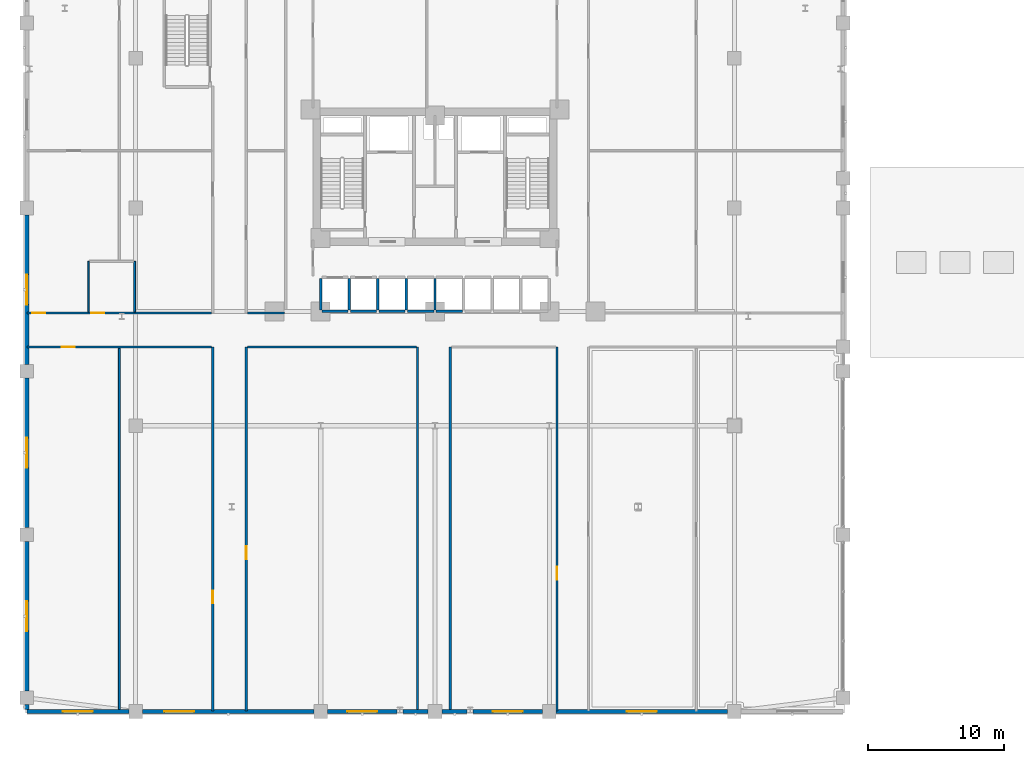
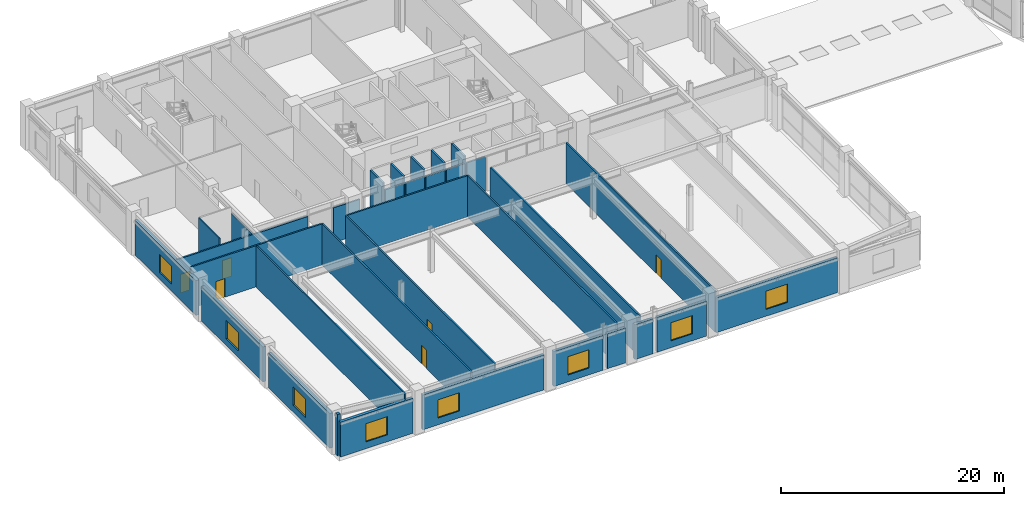
# One storey, part 17 of 34: 33 walls, 8 windows, 6 doors, 14 openings.
"""IFC4 building model written with IfcOpenShell, lengths in metres."""

from ifc_helpers import new_model, si_unit, derived_unit, direction, frame, frame_2d, origin, place, context, subcontext, project, spatial, rectangle, extrude, material, layer, layer_set, type_object, element, fill, save


model = new_model("IFC4")

# Units and contexts
model_context = context("Model", 3, precision=1e-05, world=origin(), true_north=direction((0.0, 1.0)))
body_context = subcontext(model_context, "Body", "Model", "MODEL_VIEW")
ifc_project = project(units=[si_unit("LENGTHUNIT", "METRE"), si_unit("AREAUNIT", "SQUARE_METRE"), si_unit("VOLUMEUNIT", "CUBIC_METRE"), si_unit("PLANEANGLEUNIT", "RADIAN"), si_unit("MASSUNIT", "GRAM", prefix="KILO"), derived_unit("THERMALTRANSMITTANCEUNIT", [(si_unit("POWERUNIT", "WATT"), 1), (si_unit("LENGTHUNIT", "METRE"), -2), (si_unit("THERMODYNAMICTEMPERATUREUNIT", "KELVIN"), -1)])], contexts=[model_context])

# Site, building, storey
site_placement = place(None, origin())
site = spatial("IfcSite", under=ifc_project, at=site_placement, CompositionType="ELEMENT")
building_placement = place(site_placement, origin())
building = spatial("IfcBuilding", under=site, at=building_placement, Name="Korsvarv Bourse and Concert Hall", CompositionType="ELEMENT")
storey_placement = place(building_placement, frame((0.0, 0.0, 14.39990234375)))
storey = spatial("IfcBuildingStorey", under=building, at=storey_placement, Name="L03", CompositionType="ELEMENT", Elevation=14.39990234375)

# Wall, opening, window
ifc_material_1 = material(Name="Precast concrete C45/55 with granite and terracotta", Category="concrete")
ifc_layer_1 = layer(ifc_material_1, 0.320068359375)
ifc_layer_set_1 = layer_set([ifc_layer_1], Name="Precast concrete C45/55 with granite and terracotta")
wall_type_1 = type_object("IfcWallType", Name="WL-EXT-POD", PredefinedType="SOLIDWALL", material=ifc_layer_set_1)
wall_1_placement = place(storey_placement, frame((6.0, 3.0, 0.0), z_axis=(0.0, 0.0, 1.0), x_axis=(1.0, 0.0, 0.0)))
wall_1 = element("IfcWall", 1, at=wall_1_placement, inside=storey, type_object=wall_type_1, Name="L03 terracotta exterior wall EW-L03-S1", PredefinedType="SOLIDWALL", context=body_context, shape_type="SweptSolid", body=[
    extrude(rectangle(XDim=7.4951171875, YDim=0.320068359375, at=frame_2d((3.74755859375, 0.0))), origin(), (0.0, 0.0, 1.0), 3.820068359375),
])
opening_1_placement = place(wall_1_placement, frame((2.6474609375, 0.0, 0.75)))
opening_1 = element("IfcOpeningElement", 2, at=opening_1_placement, cuts=wall_1, Name="Opening W-03", PredefinedType="OPENING", context=body_context, shape_type="SweptSolid", body=[
    extrude(rectangle(XDim=2.199951171875, YDim=2.0, at=frame_2d((1.10009765625, 1.0))), frame((0.0, 0.169921875, 0.0), z_axis=(0.0, -1.0, 0.0), x_axis=(1.0, 0.0, 0.0)), (0.0, 0.0, 1.0), 0.340087890625),
])
ifc_material_2 = material(Name="Thermally broken aluminium frame with triple low-E glass", Category="glass")
window_type = type_object("IfcWindowType", Name="WIN-POD1", PartitioningType="SINGLE_PANEL", PredefinedType="WINDOW", material=ifc_material_2)
window_1_placement = place(opening_1_placement, origin())
window_1 = element("IfcWindow", 3, at=window_1_placement, inside=storey, type_object=window_type, Name="L03 punched facade window W-03", OverallHeight=2.0, OverallWidth=2.199951171875, PartitioningType="SINGLE_PANEL", PredefinedType="WINDOW", context=body_context, shape_type="SweptSolid", body=[
    extrude(rectangle(XDim=2.199951171875, YDim=2.0, at=frame_2d((1.10009765625, 1.0))), frame((0.0, 0.030029296875, 0.0), z_axis=(0.0, -1.0, 0.0), x_axis=(1.0, 0.0, 0.0)), (0.0, 0.0, 1.0), 0.06005859375),
])
fill(opening_1, window_1)

wall_2_placement = place(storey_placement, frame((14.5048828125, 3.0, 0.0), z_axis=(0.0, 0.0, 1.0), x_axis=(1.0, 0.0, 0.0)))
wall_2 = element("IfcWall", 4, at=wall_2_placement, inside=storey, type_object=wall_type_1, Name="L03 terracotta exterior wall EW-L03-S2", PredefinedType="SOLIDWALL", context=body_context, shape_type="SweptSolid", body=[
    extrude(rectangle(XDim=12.590087890625, YDim=0.320068359375, at=frame_2d((6.294921875, 0.0))), origin(), (0.0, 0.0, 1.0), 3.820068359375),
])
opening_2_placement = place(wall_2_placement, frame((1.5986328125, 0.0, 0.75)))
opening_2 = element("IfcOpeningElement", 5, at=opening_2_placement, cuts=wall_2, Name="Opening W-03", PredefinedType="OPENING", context=body_context, shape_type="SweptSolid", body=[
    extrude(rectangle(XDim=2.199951171875, YDim=2.0, at=frame_2d((1.10009765625, 1.0))), frame((0.0, 0.169921875, 0.0), z_axis=(0.0, -1.0, 0.0), x_axis=(1.0, 0.0, 0.0)), (0.0, 0.0, 1.0), 0.340087890625),
])
window_2_placement = place(opening_2_placement, origin())
window_2 = element("IfcWindow", 6, at=window_2_placement, inside=storey, type_object=window_type, Name="L03 punched facade window W-03", OverallHeight=2.0, OverallWidth=2.199951171875, PartitioningType="SINGLE_PANEL", PredefinedType="WINDOW", context=body_context, shape_type="SweptSolid", body=[
    extrude(rectangle(XDim=2.199951171875, YDim=2.0, at=frame_2d((1.10009765625, 1.0))), frame((0.0, 0.030029296875, 0.0), z_axis=(0.0, -1.0, 0.0), x_axis=(1.0, 0.0, 0.0)), (0.0, 0.0, 1.0), 0.06005859375),
])
fill(opening_2, window_2)

wall_3_placement = place(storey_placement, frame((28.10498046875, 3.0, 0.0), z_axis=(0.0, 0.0, 1.0), x_axis=(1.0, 0.0, 0.0)))
wall_3 = element("IfcWall", 7, at=wall_3_placement, inside=storey, type_object=wall_type_1, Name="L03 terracotta exterior wall EW-L03-S3-1", PredefinedType="SOLIDWALL", context=body_context, shape_type="SweptSolid", body=[
    extrude(rectangle(XDim=5.09619140625, YDim=0.320068359375, at=frame_2d((2.548095703125, 0.0))), origin(), (0.0, 0.0, 1.0), 3.820068359375),
])
opening_3_placement = place(wall_3_placement, frame((1.447998046875, 0.0, 0.75)))
opening_3 = element("IfcOpeningElement", 8, at=opening_3_placement, cuts=wall_3, Name="Opening W-03", PredefinedType="OPENING", context=body_context, shape_type="SweptSolid", body=[
    extrude(rectangle(XDim=2.199951171875, YDim=2.0, at=frame_2d((1.10009765625, 1.0))), frame((0.0, 0.169921875, 0.0), z_axis=(0.0, -1.0, 0.0), x_axis=(1.0, 0.0, 0.0)), (0.0, 0.0, 1.0), 0.340087890625),
])
window_3_placement = place(opening_3_placement, origin())
window_3 = element("IfcWindow", 9, at=window_3_placement, inside=storey, type_object=window_type, Name="L03 punched facade window W-03", OverallHeight=2.0, OverallWidth=2.199951171875, PartitioningType="SINGLE_PANEL", PredefinedType="WINDOW", context=body_context, shape_type="SweptSolid", body=[
    extrude(rectangle(XDim=2.199951171875, YDim=2.0, at=frame_2d((1.10009765625, 1.0))), frame((0.0, 0.030029296875, 0.0), z_axis=(0.0, -1.0, 0.0), x_axis=(1.0, 0.0, 0.0)), (0.0, 0.0, 1.0), 0.06005859375),
])
fill(opening_3, window_3)

# Walls
for number, where, z_axis, x_axis, name in (
    (10, (33.635009765625, 3.0, 0.0), (0.0, 0.0, 1.0), (1.0, 0.0, 0.0), "L03 terracotta exterior wall EW-L03-S3-2"),
    (11, (36.5048828125, 3.0, 0.0), (0.0, 0.0, 1.0), (1.0, 0.0, 0.0), "L03 terracotta exterior wall EW-L03-S4-1"),
):
    element("IfcWall", number, at=place(storey_placement, frame(where, z_axis=z_axis, x_axis=x_axis)), inside=storey, type_object=wall_type_1, Name=name, PredefinedType="SOLIDWALL", context=body_context, shape_type="SweptSolid", body=[
        extrude(rectangle(XDim=1.860107421875, YDim=0.320068359375, at=frame_2d((0.93017578125, 0.0))), origin(), (0.0, 0.0, 1.0), 3.820068359375),
    ])

# Wall, opening, window
wall_4_placement = place(storey_placement, frame((38.798828125, 3.0, 0.0), z_axis=(0.0, 0.0, 1.0), x_axis=(1.0, 0.0, 0.0)))
wall_4 = element("IfcWall", 12, at=wall_4_placement, inside=storey, type_object=wall_type_1, Name="L03 terracotta exterior wall EW-L03-S4-2", PredefinedType="SOLIDWALL", context=body_context, shape_type="SweptSolid", body=[
    extrude(rectangle(XDim=5.09619140625, YDim=0.320068359375, at=frame_2d((2.548095703125, 0.0))), origin(), (0.0, 0.0, 1.0), 3.820068359375),
])
opening_4_placement = place(wall_4_placement, frame((1.447998046875, 0.0, 0.75)))
opening_4 = element("IfcOpeningElement", 13, at=opening_4_placement, cuts=wall_4, Name="Opening W-03", PredefinedType="OPENING", context=body_context, shape_type="SweptSolid", body=[
    extrude(rectangle(XDim=2.199951171875, YDim=2.0, at=frame_2d((1.10009765625, 1.0))), frame((0.0, 0.169921875, 0.0), z_axis=(0.0, -1.0, 0.0), x_axis=(1.0, 0.0, 0.0)), (0.0, 0.0, 1.0), 0.340087890625),
])
window_4_placement = place(opening_4_placement, origin())
window_4 = element("IfcWindow", 14, at=window_4_placement, inside=storey, type_object=window_type, Name="L03 punched facade window W-03", OverallHeight=2.0, OverallWidth=2.199951171875, PartitioningType="SINGLE_PANEL", PredefinedType="WINDOW", context=body_context, shape_type="SweptSolid", body=[
    extrude(rectangle(XDim=2.199951171875, YDim=2.0, at=frame_2d((1.10009765625, 1.0))), frame((0.0, 0.030029296875, 0.0), z_axis=(0.0, -1.0, 0.0), x_axis=(1.0, 0.0, 0.0)), (0.0, 0.0, 1.0), 0.06005859375),
])
fill(opening_4, window_4)

wall_5_placement = place(storey_placement, frame((44.905029296875, 3.0, 0.0), z_axis=(0.0, 0.0, 1.0), x_axis=(1.0, 0.0, 0.0)))
wall_5 = element("IfcWall", 15, at=wall_5_placement, inside=storey, type_object=wall_type_1, Name="L03 terracotta exterior wall EW-L03-S5", PredefinedType="SOLIDWALL", context=body_context, shape_type="SweptSolid", body=[
    extrude(rectangle(XDim=12.590087890625, YDim=0.320068359375, at=frame_2d((6.294921875, 0.0))), origin(), (0.0, 0.0, 1.0), 3.820068359375),
])
opening_5_placement = place(wall_5_placement, frame((5.195068359375, 0.0, 0.75)))
opening_5 = element("IfcOpeningElement", 16, at=opening_5_placement, cuts=wall_5, Name="Opening W-03", PredefinedType="OPENING", context=body_context, shape_type="SweptSolid", body=[
    extrude(rectangle(XDim=2.199951171875, YDim=2.0, at=frame_2d((1.10009765625, 1.0))), frame((0.0, 0.169921875, 0.0), z_axis=(0.0, -1.0, 0.0), x_axis=(1.0, 0.0, 0.0)), (0.0, 0.0, 1.0), 0.340087890625),
])
window_5_placement = place(opening_5_placement, origin())
window_5 = element("IfcWindow", 17, at=window_5_placement, inside=storey, type_object=window_type, Name="L03 punched facade window W-03", OverallHeight=2.0, OverallWidth=2.199951171875, PartitioningType="SINGLE_PANEL", PredefinedType="WINDOW", context=body_context, shape_type="SweptSolid", body=[
    extrude(rectangle(XDim=2.199951171875, YDim=2.0, at=frame_2d((1.10009765625, 1.0))), frame((0.0, 0.030029296875, 0.0), z_axis=(0.0, -1.0, 0.0), x_axis=(1.0, 0.0, 0.0)), (0.0, 0.0, 1.0), 0.06005859375),
])
fill(opening_5, window_5)

# Wall
wall_6_placement = place(storey_placement, frame((6.0, 3.159912109375, 0.0), z_axis=(0.0, 0.0, 1.0), x_axis=(0.0, 1.0, 0.0)))
element("IfcWall", 18, at=wall_6_placement, inside=storey, type_object=wall_type_1, Name="L03 terracotta exterior wall EW-L03-W1-1", PredefinedType="SOLIDWALL", context=body_context, shape_type="SweptSolid", body=[
    extrude(rectangle(XDim=0.335205078125, YDim=0.320068359375, at=frame_2d((0.16748046875, 0.0))), origin(), (0.0, 0.0, 1.0), 4.52001953125),
])

# Wall, opening, window
wall_7_placement = place(storey_placement, frame((6.0, 4.5048828125, 0.0), z_axis=(0.0, 0.0, 1.0), x_axis=(0.0, 1.0, 0.0)))
wall_7 = element("IfcWall", 19, at=wall_7_placement, inside=storey, type_object=wall_type_1, Name="L03 terracotta exterior wall EW-L03-W1-2", PredefinedType="SOLIDWALL", context=body_context, shape_type="SweptSolid", body=[
    extrude(rectangle(XDim=10.990234375, YDim=0.320068359375, at=frame_2d((5.4951171875, 0.0))), origin(), (0.0, 0.0, 1.0), 3.820068359375),
])
opening_6_placement = place(wall_7_placement, frame((4.39501953125, 0.0, 0.75)))
opening_6 = element("IfcOpeningElement", 20, at=opening_6_placement, cuts=wall_7, Name="Opening W-03", PredefinedType="OPENING", context=body_context, shape_type="SweptSolid", body=[
    extrude(rectangle(XDim=2.199951171875, YDim=2.0, at=frame_2d((1.10009765625, 1.0))), frame((0.0, 0.169921875, 0.0), z_axis=(0.0, -1.0, 0.0), x_axis=(1.0, 0.0, 0.0)), (0.0, 0.0, 1.0), 0.340087890625),
])
window_6_placement = place(opening_6_placement, origin())
window_6 = element("IfcWindow", 21, at=window_6_placement, inside=storey, type_object=window_type, Name="L03 punched facade window W-03", OverallHeight=2.0, OverallWidth=2.199951171875, PartitioningType="SINGLE_PANEL", PredefinedType="WINDOW", context=body_context, shape_type="SweptSolid", body=[
    extrude(rectangle(XDim=2.199951171875, YDim=2.0, at=frame_2d((1.10009765625, 1.0))), frame((0.0, 0.030029296875, 0.0), z_axis=(0.0, -1.0, 0.0), x_axis=(1.0, 0.0, 0.0)), (0.0, 0.0, 1.0), 0.06005859375),
])
fill(opening_6, window_6)

wall_8_placement = place(storey_placement, frame((6.0, 16.5048828125, 0.0), z_axis=(0.0, 0.0, 1.0), x_axis=(0.0, 1.0, 0.0)))
wall_8 = element("IfcWall", 22, at=wall_8_placement, inside=storey, type_object=wall_type_1, Name="L03 terracotta exterior wall EW-L03-W2", PredefinedType="SOLIDWALL", context=body_context, shape_type="SweptSolid", body=[
    extrude(rectangle(XDim=10.990234375, YDim=0.320068359375, at=frame_2d((5.4951171875, 0.0))), origin(), (0.0, 0.0, 1.0), 3.820068359375),
])
opening_7_placement = place(wall_8_placement, frame((4.39501953125, 0.0, 0.75)))
opening_7 = element("IfcOpeningElement", 23, at=opening_7_placement, cuts=wall_8, Name="Opening W-03", PredefinedType="OPENING", context=body_context, shape_type="SweptSolid", body=[
    extrude(rectangle(XDim=2.199951171875, YDim=2.0, at=frame_2d((1.10009765625, 1.0))), frame((0.0, 0.169921875, 0.0), z_axis=(0.0, -1.0, 0.0), x_axis=(1.0, 0.0, 0.0)), (0.0, 0.0, 1.0), 0.340087890625),
])
window_7_placement = place(opening_7_placement, origin())
window_7 = element("IfcWindow", 24, at=window_7_placement, inside=storey, type_object=window_type, Name="L03 punched facade window W-03", OverallHeight=2.0, OverallWidth=2.199951171875, PartitioningType="SINGLE_PANEL", PredefinedType="WINDOW", context=body_context, shape_type="SweptSolid", body=[
    extrude(rectangle(XDim=2.199951171875, YDim=2.0, at=frame_2d((1.10009765625, 1.0))), frame((0.0, 0.030029296875, 0.0), z_axis=(0.0, -1.0, 0.0), x_axis=(1.0, 0.0, 0.0)), (0.0, 0.0, 1.0), 0.06005859375),
])
fill(opening_7, window_7)

wall_9_placement = place(storey_placement, frame((6.0, 28.5048828125, 0.0), z_axis=(0.0, 0.0, 1.0), x_axis=(0.0, 1.0, 0.0)))
wall_9 = element("IfcWall", 25, at=wall_9_placement, inside=storey, type_object=wall_type_1, Name="L03 terracotta exterior wall EW-L03-W3", PredefinedType="SOLIDWALL", context=body_context, shape_type="SweptSolid", body=[
    extrude(rectangle(XDim=10.990234375, YDim=0.320068359375, at=frame_2d((5.4951171875, 0.0))), origin(), (0.0, 0.0, 1.0), 3.820068359375),
])
opening_8_placement = place(wall_9_placement, frame((4.39501953125, 0.0, 0.75)))
opening_8 = element("IfcOpeningElement", 26, at=opening_8_placement, cuts=wall_9, Name="Opening W-03", PredefinedType="OPENING", context=body_context, shape_type="SweptSolid", body=[
    extrude(rectangle(XDim=2.199951171875, YDim=2.0, at=frame_2d((1.10009765625, 1.0))), frame((0.0, 0.169921875, 0.0), z_axis=(0.0, -1.0, 0.0), x_axis=(1.0, 0.0, 0.0)), (0.0, 0.0, 1.0), 0.340087890625),
])
window_8_placement = place(opening_8_placement, origin())
window_8 = element("IfcWindow", 27, at=window_8_placement, inside=storey, type_object=window_type, Name="L03 punched facade window W-03", OverallHeight=2.0, OverallWidth=2.199951171875, PartitioningType="SINGLE_PANEL", PredefinedType="WINDOW", context=body_context, shape_type="SweptSolid", body=[
    extrude(rectangle(XDim=2.199951171875, YDim=2.0, at=frame_2d((1.10009765625, 1.0))), frame((0.0, 0.030029296875, 0.0), z_axis=(0.0, -1.0, 0.0), x_axis=(1.0, 0.0, 0.0)), (0.0, 0.0, 1.0), 0.06005859375),
])
fill(opening_8, window_8)

# Wall, opening, door
ifc_material_3 = material(Name="Double-stud fire-rated acoustic partition", Category="gypsum")
ifc_layer_2 = layer(ifc_material_3, 0.159912109375)
ifc_layer_set_2 = layer_set([ifc_layer_2], Name="Double-stud fire-rated acoustic partition")
wall_type_2 = type_object("IfcWallType", Name="WL-INT-EI60", PredefinedType="PARTITIONING", material=ifc_layer_set_2)
wall_10_placement = place(storey_placement, frame((44.965087890625, 3.02001953125, 0.0), z_axis=(0.0, 0.0, 1.0), x_axis=(0.0, 1.0, 0.0)))
wall_10 = element("IfcWall", 28, at=wall_10_placement, inside=storey, type_object=wall_type_2, Name="L03 interior partition wall W-L03-PCOR-02", PredefinedType="PARTITIONING", context=body_context, shape_type="SweptSolid", body=[
    extrude(rectangle(XDim=26.760009765625, YDim=0.159912109375, at=frame_2d((13.3798828125, 0.0))), origin(), (0.0, 0.0, 1.0), 4.52001953125),
])
opening_9_placement = place(wall_10_placement, frame((9.650390625, 0.0, 0.0)))
opening_9 = element("IfcOpeningElement", 29, at=opening_9_placement, cuts=wall_10, Name="Opening D-02", PredefinedType="OPENING", context=body_context, shape_type="SweptSolid", body=[
    extrude(rectangle(XDim=0.949951171875, YDim=2.050048828125, at=frame_2d((0.47509765625, 1.02490234375))), frame((0.0, 0.08984375, 0.0), z_axis=(0.0, -1.0, 0.0), x_axis=(1.0, 0.0, 0.0)), (0.0, 0.0, 1.0), 0.179931640625),
])
ifc_material_4 = material(Name="Timber and steel acoustic fire door", Category="wood")
door_type = type_object("IfcDoorType", Name="DR-FD30", OperationType="NOTDEFINED", PredefinedType="DOOR", material=ifc_material_4)
door_1_placement = place(opening_9_placement, origin())
door_1 = element("IfcDoor", 30, at=door_1_placement, inside=storey, type_object=door_type, Name="L03 interior door DR-L03-PCOR-RM77", OperationType="SINGLE_SWING_RIGHT", OverallHeight=2.050048828125, OverallWidth=0.949951171875, PredefinedType="DOOR", context=body_context, shape_type="SweptSolid", body=[
    extrude(rectangle(XDim=0.949951171875, YDim=2.050048828125, at=frame_2d((0.47509765625, 1.02490234375))), frame((0.0, 0.02490234375, 0.0), z_axis=(0.0, -1.0, 0.0), x_axis=(1.0, 0.0, 0.0)), (0.0, 0.0, 1.0), 0.050048828125),
])
fill(opening_9, door_1)

# Wall
wall_11_placement = place(storey_placement, frame((37.125, 3.02001953125, 0.0), z_axis=(0.0, 0.0, 1.0), x_axis=(0.0, 1.0, 0.0)))
element("IfcWall", 31, at=wall_11_placement, inside=storey, type_object=wall_type_2, Name="L03 interior partition wall W-L03-PCOR-03", PredefinedType="PARTITIONING", context=body_context, shape_type="SweptSolid", body=[
    extrude(rectangle(XDim=26.760009765625, YDim=0.159912109375, at=frame_2d((13.3798828125, 0.0))), origin(), (0.0, 0.0, 1.0), 4.52001953125),
])

# Wall, opening, door
wall_12_placement = place(storey_placement, frame((22.125, 3.02001953125, 0.0), z_axis=(0.0, 0.0, 1.0), x_axis=(0.0, 1.0, 0.0)))
wall_12 = element("IfcWall", 32, at=wall_12_placement, inside=storey, type_object=wall_type_2, Name="L03 interior partition wall W-L03-PCOR-04", PredefinedType="PARTITIONING", context=body_context, shape_type="SweptSolid", body=[
    extrude(rectangle(XDim=26.760009765625, YDim=0.159912109375, at=frame_2d((13.3798828125, 0.0))), origin(), (0.0, 0.0, 1.0), 4.52001953125),
])
opening_10_placement = place(wall_12_placement, frame((11.169189453125, 0.0, 0.0)))
opening_10 = element("IfcOpeningElement", 33, at=opening_10_placement, cuts=wall_12, Name="Opening D-02", PredefinedType="OPENING", context=body_context, shape_type="SweptSolid", body=[
    extrude(rectangle(XDim=0.949951171875, YDim=2.050048828125, at=frame_2d((0.47509765625, 1.02490234375))), frame((0.0, 0.08984375, 0.0), z_axis=(0.0, -1.0, 0.0), x_axis=(1.0, 0.0, 0.0)), (0.0, 0.0, 1.0), 0.179931640625),
])
door_2_placement = place(opening_10_placement, origin())
door_2 = element("IfcDoor", 34, at=door_2_placement, inside=storey, type_object=door_type, Name="L03 interior door DR-L03-PCOR-ARB10", OperationType="SINGLE_SWING_LEFT", OverallHeight=2.050048828125, OverallWidth=0.949951171875, PredefinedType="DOOR", context=body_context, shape_type="SweptSolid", body=[
    extrude(rectangle(XDim=0.949951171875, YDim=2.050048828125, at=frame_2d((0.47509765625, 1.02490234375))), frame((0.0, 0.02490234375, 0.0), z_axis=(0.0, -1.0, 0.0), x_axis=(1.0, 0.0, 0.0)), (0.0, 0.0, 1.0), 0.050048828125),
])
fill(opening_10, door_2)

# Wall
wall_13_placement = place(storey_placement, frame((34.72509765625, 3.02001953125, 0.0), z_axis=(0.0, 0.0, 1.0), x_axis=(0.0, 1.0, 0.0)))
element("IfcWall", 35, at=wall_13_placement, inside=storey, type_object=wall_type_2, Name="L03 interior partition wall W-L03-PCOR-05", PredefinedType="PARTITIONING", context=body_context, shape_type="SweptSolid", body=[
    extrude(rectangle(XDim=26.760009765625, YDim=0.159912109375, at=frame_2d((13.3798828125, 0.0))), origin(), (0.0, 0.0, 1.0), 4.52001953125),
])

# Wall, opening, door
wall_14_placement = place(storey_placement, frame((19.6650390625, 3.02001953125, 0.0), z_axis=(0.0, 0.0, 1.0), x_axis=(0.0, 1.0, 0.0)))
wall_14 = element("IfcWall", 36, at=wall_14_placement, inside=storey, type_object=wall_type_2, Name="L03 interior partition wall W-L03-PCOR-06", PredefinedType="PARTITIONING", context=body_context, shape_type="SweptSolid", body=[
    extrude(rectangle(XDim=26.760009765625, YDim=0.159912109375, at=frame_2d((13.3798828125, 0.0))), origin(), (0.0, 0.0, 1.0), 4.52001953125),
])
opening_11_placement = place(wall_14_placement, frame((7.914306640625, 0.0, 0.0)))
opening_11 = element("IfcOpeningElement", 37, at=opening_11_placement, cuts=wall_14, Name="Opening D-02", PredefinedType="OPENING", context=body_context, shape_type="SweptSolid", body=[
    extrude(rectangle(XDim=0.949951171875, YDim=2.050048828125, at=frame_2d((0.47509765625, 1.02490234375))), frame((0.0, 0.08984375, 0.0), z_axis=(0.0, -1.0, 0.0), x_axis=(1.0, 0.0, 0.0)), (0.0, 0.0, 1.0), 0.179931640625),
])
door_3_placement = place(opening_11_placement, origin())
door_3 = element("IfcDoor", 38, at=door_3_placement, inside=storey, type_object=door_type, Name="L03 interior door DR-L03-PCOR-RM1414", OperationType="SINGLE_SWING_RIGHT", OverallHeight=2.050048828125, OverallWidth=0.949951171875, PredefinedType="DOOR", context=body_context, shape_type="SweptSolid", body=[
    extrude(rectangle(XDim=0.949951171875, YDim=2.050048828125, at=frame_2d((0.47509765625, 1.02490234375))), frame((0.0, 0.02490234375, 0.0), z_axis=(0.0, -1.0, 0.0), x_axis=(1.0, 0.0, 0.0)), (0.0, 0.0, 1.0), 0.050048828125),
])
fill(opening_11, door_3)

# Wall, openings, doors
wall_15_placement = place(storey_placement, frame((6.02001953125, 32.27490234375, 0.0), z_axis=(0.0, 0.0, 1.0), x_axis=(1.0, 0.0, 0.0)))
wall_15 = element("IfcWall", 39, at=wall_15_placement, inside=storey, type_object=wall_type_2, Name="L03 interior partition wall W-L03-PCOR-13", PredefinedType="PARTITIONING", context=body_context, shape_type="SweptSolid", body=[
    extrude(rectangle(XDim=13.56298828125, YDim=0.159912109375, at=frame_2d((6.781494140625, 0.0))), origin(), (0.0, 0.0, 1.0), 3.820068359375),
])
opening_12_placement = place(wall_15_placement, frame((4.719970703125, 0.0, 0.0)))
opening_12 = element("IfcOpeningElement", 40, at=opening_12_placement, cuts=wall_15, Name="Opening D-02", PredefinedType="OPENING", context=body_context, shape_type="SweptSolid", body=[
    extrude(rectangle(XDim=0.949951171875, YDim=2.050048828125, at=frame_2d((0.47509765625, 1.02490234375))), frame((0.0, 0.08984375, 0.0), z_axis=(0.0, -1.0, 0.0), x_axis=(1.0, 0.0, 0.0)), (0.0, 0.0, 1.0), 0.179931640625),
])
opening_13_placement = place(wall_15_placement, frame((0.3798828125, 0.0, 0.0)))
opening_13 = element("IfcOpeningElement", 41, at=opening_13_placement, cuts=wall_15, Name="Opening D-02", PredefinedType="OPENING", context=body_context, shape_type="SweptSolid", body=[
    extrude(rectangle(XDim=0.949951171875, YDim=2.050048828125, at=frame_2d((0.47509765625, 1.02490234375))), frame((0.0, 0.08984375, 0.0), z_axis=(0.0, -1.0, 0.0), x_axis=(1.0, 0.0, 0.0)), (0.0, 0.0, 1.0), 0.179931640625),
])
door_4_placement = place(opening_12_placement, origin())
door_4 = element("IfcDoor", 42, at=door_4_placement, inside=storey, type_object=door_type, Name="L03 interior door DR-L03-PCOR-RWC", OperationType="SINGLE_SWING_RIGHT", OverallHeight=2.050048828125, OverallWidth=0.949951171875, PredefinedType="DOOR", context=body_context, shape_type="SweptSolid", body=[
    extrude(rectangle(XDim=0.949951171875, YDim=2.050048828125, at=frame_2d((0.47509765625, 1.02490234375))), frame((0.0, 0.02490234375, 0.0), z_axis=(0.0, -1.0, 0.0), x_axis=(1.0, 0.0, 0.0)), (0.0, 0.0, 1.0), 0.050048828125),
])
fill(opening_12, door_4)
door_5_placement = place(opening_13_placement, origin())
door_5 = element("IfcDoor", 43, at=door_5_placement, inside=storey, type_object=door_type, Name="L03 interior door DR-L03-PCOR-RM1515", OperationType="SINGLE_SWING_LEFT", OverallHeight=2.050048828125, OverallWidth=0.949951171875, PredefinedType="DOOR", context=body_context, shape_type="SweptSolid", body=[
    extrude(rectangle(XDim=0.949951171875, YDim=2.050048828125, at=frame_2d((0.47509765625, 1.02490234375))), frame((0.0, 0.02490234375, 0.0), z_axis=(0.0, -1.0, 0.0), x_axis=(1.0, 0.0, 0.0)), (0.0, 0.0, 1.0), 0.050048828125),
])
fill(opening_13, door_5)

# Wall, opening, door
wall_16_placement = place(storey_placement, frame((6.02001953125, 29.77490234375, 0.0), z_axis=(0.0, 0.0, 1.0), x_axis=(1.0, 0.0, 0.0)))
wall_16 = element("IfcWall", 44, at=wall_16_placement, inside=storey, type_object=wall_type_2, Name="L03 interior partition wall W-L03-PCOR-14", PredefinedType="PARTITIONING", context=body_context, shape_type="SweptSolid", body=[
    extrude(rectangle(XDim=13.56298828125, YDim=0.159912109375, at=frame_2d((6.781494140625, 0.0))), origin(), (0.0, 0.0, 1.0), 4.52001953125),
])
opening_14_placement = place(wall_16_placement, frame((2.562255859375, 0.0, 0.0)))
opening_14 = element("IfcOpeningElement", 45, at=opening_14_placement, cuts=wall_16, Name="Opening D-02", PredefinedType="OPENING", context=body_context, shape_type="SweptSolid", body=[
    extrude(rectangle(XDim=0.949951171875, YDim=2.050048828125, at=frame_2d((0.47509765625, 1.02490234375))), frame((0.0, 0.08984375, 0.0), z_axis=(0.0, -1.0, 0.0), x_axis=(1.0, 0.0, 0.0)), (0.0, 0.0, 1.0), 0.179931640625),
])
door_6_placement = place(opening_14_placement, origin())
door_6 = element("IfcDoor", 46, at=door_6_placement, inside=storey, type_object=door_type, Name="L03 interior door DR-L03-PCOR-BRD13", OperationType="SINGLE_SWING_RIGHT", OverallHeight=2.050048828125, OverallWidth=0.949951171875, PredefinedType="DOOR", context=body_context, shape_type="SweptSolid", body=[
    extrude(rectangle(XDim=0.949951171875, YDim=2.050048828125, at=frame_2d((0.47509765625, 1.02490234375))), frame((0.0, 0.02490234375, 0.0), z_axis=(0.0, -1.0, 0.0), x_axis=(1.0, 0.0, 0.0)), (0.0, 0.0, 1.0), 0.050048828125),
])
fill(opening_14, door_6)

# Walls
wall_17_placement = place(storey_placement, frame((22.20703125, 29.77490234375, 0.0), z_axis=(0.0, 0.0, 1.0), x_axis=(1.0, 0.0, 0.0)))
element("IfcWall", 47, at=wall_17_placement, inside=storey, type_object=wall_type_2, Name="L03 interior partition wall W-L03-PCOR-15", PredefinedType="PARTITIONING", context=body_context, shape_type="SweptSolid", body=[
    extrude(rectangle(XDim=12.43603515625, YDim=0.159912109375, at=frame_2d((6.218017578125, 0.0))), origin(), (0.0, 0.0, 1.0), 4.52001953125),
])
wall_18_placement = place(storey_placement, frame((22.20703125, 32.27490234375, 0.0), z_axis=(0.0, 0.0, 1.0), x_axis=(1.0, 0.0, 0.0)))
element("IfcWall", 48, at=wall_18_placement, inside=storey, type_object=wall_type_2, Name="L03 interior partition wall W-L03-PCOR-20", PredefinedType="PARTITIONING", context=body_context, shape_type="SweptSolid", body=[
    extrude(rectangle(XDim=2.736083984375, YDim=0.159912109375, at=frame_2d((1.3681640625, 0.0))), origin(), (0.0, 0.0, 1.0), 3.820068359375),
])
ifc_material_5 = material(Name="Gypsum-clad autoclaved concrete shaft wall C30/37", Category="concrete")
ifc_layer_3 = layer(ifc_material_5, 0.179931640625)
ifc_layer_set_3 = layer_set([ifc_layer_3], Name="Gypsum-clad autoclaved concrete shaft wall C30/37")
wall_type_3 = type_object("IfcWallType", Name="WL-INT-EI90", PredefinedType="PARTITIONING", material=ifc_layer_set_3)
wall_19_placement = place(storey_placement, frame((27.68994140625, 32.39990234375, 0.0), z_axis=(0.0, 0.0, 1.0), x_axis=(1.0, 0.0, 0.0)))
element("IfcWall", 49, at=wall_19_placement, inside=storey, type_object=wall_type_3, Name="L03 interior partition wall W-L03-SHFS-PL1", PredefinedType="PARTITIONING", context=body_context, shape_type="SweptSolid", body=[
    extrude(rectangle(XDim=1.920166015625, YDim=0.179931640625, at=frame_2d((0.9599609375, 0.0))), origin(), (0.0, 0.0, 1.0), 3.820068359375),
])
wall_20_placement = place(storey_placement, frame((27.60009765625, 32.489990234375, 0.0), z_axis=(0.0, 0.0, 1.0), x_axis=(0.0, 1.0, 0.0)))
element("IfcWall", 50, at=wall_20_placement, inside=storey, type_object=wall_type_3, Name="L03 interior partition wall W-L03-SHFW-PL1", PredefinedType="PARTITIONING", context=body_context, shape_type="SweptSolid", body=[
    extrude(rectangle(XDim=2.320068359375, YDim=0.179931640625, at=frame_2d((1.16015625, 0.0))), origin(), (0.0, 0.0, 1.0), 4.52001953125),
])
wall_21_placement = place(storey_placement, frame((29.7900390625, 32.39990234375, 0.0), z_axis=(0.0, 0.0, 1.0), x_axis=(1.0, 0.0, 0.0)))
element("IfcWall", 51, at=wall_21_placement, inside=storey, type_object=wall_type_3, Name="L03 interior partition wall W-L03-SHFS-PL2", PredefinedType="PARTITIONING", context=body_context, shape_type="SweptSolid", body=[
    extrude(rectangle(XDim=1.919921875, YDim=0.179931640625, at=frame_2d((0.9599609375, 0.0))), origin(), (0.0, 0.0, 1.0), 3.820068359375),
])
wall_22_placement = place(storey_placement, frame((29.699951171875, 32.489990234375, 0.0), z_axis=(0.0, 0.0, 1.0), x_axis=(0.0, 1.0, 0.0)))
element("IfcWall", 52, at=wall_22_placement, inside=storey, type_object=wall_type_3, Name="L03 interior partition wall W-L03-SHFW-PL2", PredefinedType="PARTITIONING", context=body_context, shape_type="SweptSolid", body=[
    extrude(rectangle(XDim=2.320068359375, YDim=0.179931640625, at=frame_2d((1.16015625, 0.0))), origin(), (0.0, 0.0, 1.0), 4.52001953125),
])
wall_23_placement = place(storey_placement, frame((31.889892578125, 32.39990234375, 0.0), z_axis=(0.0, 0.0, 1.0), x_axis=(1.0, 0.0, 0.0)))
element("IfcWall", 53, at=wall_23_placement, inside=storey, type_object=wall_type_3, Name="L03 interior partition wall W-L03-SHFS-PM1", PredefinedType="PARTITIONING", context=body_context, shape_type="SweptSolid", body=[
    extrude(rectangle(XDim=1.920166015625, YDim=0.179931640625, at=frame_2d((0.9599609375, 0.0))), origin(), (0.0, 0.0, 1.0), 3.820068359375),
])
wall_24_placement = place(storey_placement, frame((31.800048828125, 32.489990234375, 0.0), z_axis=(0.0, 0.0, 1.0), x_axis=(0.0, 1.0, 0.0)))
element("IfcWall", 54, at=wall_24_placement, inside=storey, type_object=wall_type_3, Name="L03 interior partition wall W-L03-SHFW-PM1", PredefinedType="PARTITIONING", context=body_context, shape_type="SweptSolid", body=[
    extrude(rectangle(XDim=2.320068359375, YDim=0.179931640625, at=frame_2d((1.16015625, 0.0))), origin(), (0.0, 0.0, 1.0), 4.52001953125),
])
wall_25_placement = place(storey_placement, frame((33.989990234375, 32.39990234375, 0.0), z_axis=(0.0, 0.0, 1.0), x_axis=(1.0, 0.0, 0.0)))
element("IfcWall", 55, at=wall_25_placement, inside=storey, type_object=wall_type_3, Name="L03 interior partition wall W-L03-SHFS-PM2", PredefinedType="PARTITIONING", context=body_context, shape_type="SweptSolid", body=[
    extrude(rectangle(XDim=1.919921875, YDim=0.179931640625, at=frame_2d((0.9599609375, 0.0))), origin(), (0.0, 0.0, 1.0), 3.820068359375),
])
wall_26_placement = place(storey_placement, frame((33.89990234375, 32.489990234375, 0.0), z_axis=(0.0, 0.0, 1.0), x_axis=(0.0, 1.0, 0.0)))
element("IfcWall", 56, at=wall_26_placement, inside=storey, type_object=wall_type_3, Name="L03 interior partition wall W-L03-SHFW-PM2", PredefinedType="PARTITIONING", context=body_context, shape_type="SweptSolid", body=[
    extrude(rectangle(XDim=2.320068359375, YDim=0.179931640625, at=frame_2d((1.16015625, 0.0))), origin(), (0.0, 0.0, 1.0), 4.52001953125),
])
wall_27_placement = place(storey_placement, frame((36.090087890625, 32.39990234375, 0.0), z_axis=(0.0, 0.0, 1.0), x_axis=(1.0, 0.0, 0.0)))
element("IfcWall", 57, at=wall_27_placement, inside=storey, type_object=wall_type_3, Name="L03 interior partition wall W-L03-SHFS-PH1", PredefinedType="PARTITIONING", context=body_context, shape_type="SweptSolid", body=[
    extrude(rectangle(XDim=1.919921875, YDim=0.179931640625, at=frame_2d((0.9599609375, 0.0))), origin(), (0.0, 0.0, 1.0), 3.820068359375),
])
wall_28_placement = place(storey_placement, frame((36.0, 32.489990234375, 0.0), z_axis=(0.0, 0.0, 1.0), x_axis=(0.0, 1.0, 0.0)))
element("IfcWall", 58, at=wall_28_placement, inside=storey, type_object=wall_type_3, Name="L03 interior partition wall W-L03-SHFW-PH1", PredefinedType="PARTITIONING", context=body_context, shape_type="SweptSolid", body=[
    extrude(rectangle(XDim=2.320068359375, YDim=0.179931640625, at=frame_2d((1.16015625, 0.0))), origin(), (0.0, 0.0, 1.0), 4.52001953125),
])
ifc_material_6 = material(Name="Demountable acoustic glass and aluminium dealing partition", Category="aluminium")
ifc_layer_4 = layer(ifc_material_6, 0.110107421875)
ifc_layer_set_4 = layer_set([ifc_layer_4], Name="Demountable acoustic glass and aluminium dealing partition")
wall_type_4 = type_object("IfcWallType", Name="WL-INT-MOV", PredefinedType="MOVABLE", material=ifc_layer_set_4)
wall_29_placement = place(storey_placement, frame((10.52490234375, 32.35693359375, 0.0), z_axis=(0.0, 0.0, 1.0), x_axis=(0.0, 1.0, 0.0)))
element("IfcWall", 59, at=wall_29_placement, inside=storey, type_object=wall_type_4, Name="L03 interior partition wall W-L03-PCOR-28", PredefinedType="MOVABLE", context=body_context, shape_type="SweptSolid", body=[
    extrude(rectangle(XDim=3.72314453125, YDim=0.110107421875, at=frame_2d((1.861572265625, 0.0))), origin(), (0.0, 0.0, 1.0), 4.52001953125),
])
ifc_material_7 = material(Name="Insulated steel-stud office acoustic partition", Category="gypsum")
ifc_layer_5 = layer(ifc_material_7, 0.139892578125)
ifc_layer_set_5 = layer_set([ifc_layer_5], Name="Insulated steel-stud office acoustic partition")
wall_type_5 = type_object("IfcWallType", Name="WL-INT-P1", PredefinedType="PARTITIONING", material=ifc_layer_set_5)
wall_30_placement = place(storey_placement, frame((12.804931640625, 3.02001953125, 0.0), z_axis=(0.0, 0.0, 1.0), x_axis=(0.0, 1.0, 0.0)))
element("IfcWall", 60, at=wall_30_placement, inside=storey, type_object=wall_type_5, Name="L03 interior partition wall W-L03-PCOR-22", PredefinedType="PARTITIONING", context=body_context, shape_type="SweptSolid", body=[
    extrude(rectangle(XDim=26.673095703125, YDim=0.139892578125, at=frame_2d((13.33642578125, 0.0))), origin(), (0.0, 0.0, 1.0), 4.52001953125),
])
wall_31_placement = place(storey_placement, frame((13.925048828125, 32.35693359375, 0.0), z_axis=(0.0, 0.0, 1.0), x_axis=(0.0, 1.0, 0.0)))
element("IfcWall", 61, at=wall_31_placement, inside=storey, type_object=wall_type_5, Name="L03 interior partition wall W-L03-PCOR-29", PredefinedType="PARTITIONING", context=body_context, shape_type="SweptSolid", body=[
    extrude(rectangle(XDim=3.72314453125, YDim=0.139892578125, at=frame_2d((1.861572265625, 0.0))), origin(), (0.0, 0.0, 1.0), 3.820068359375),
])

save(model, "model.ifc")
